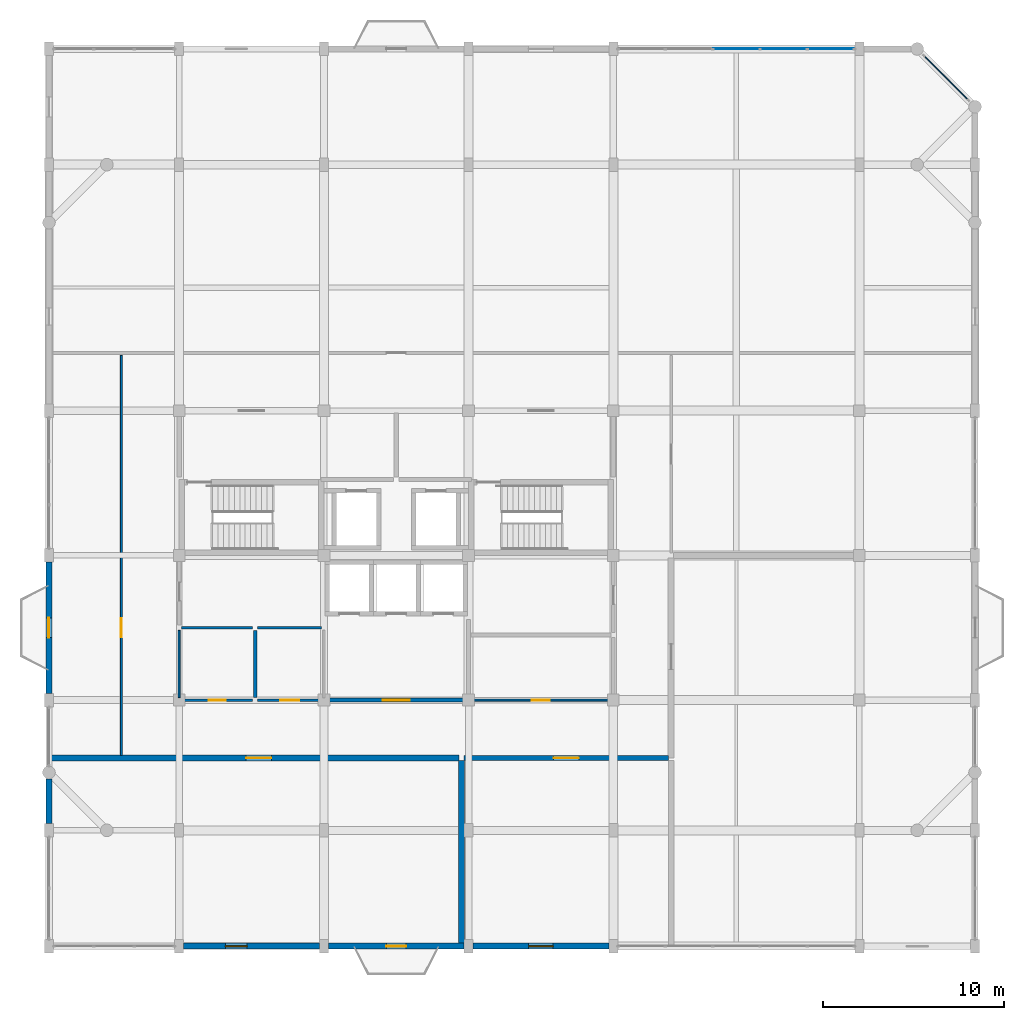
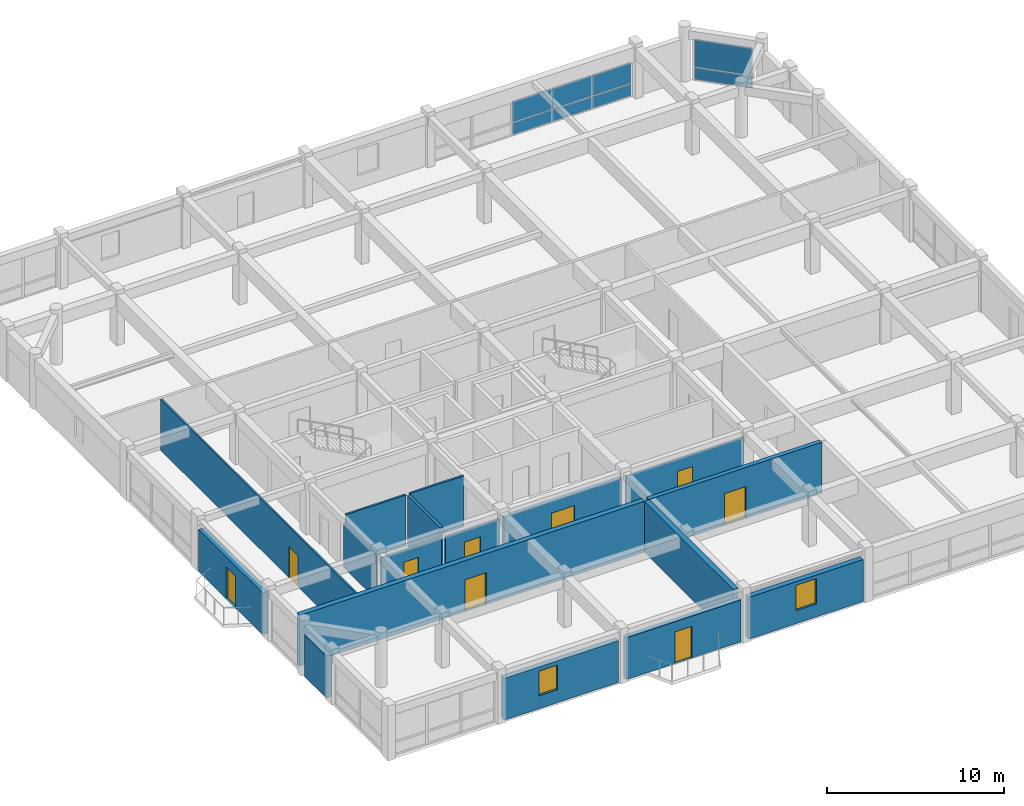
# One storey, part 10 of 13: 17 walls, 9 doors, 8 plates, 2 windows, 11 openings, 2 elements without a shape of their own.
"""IFC4 building model written with IfcOpenShell, lengths in metres."""

import ifcopenshell
import ifcopenshell.guid

model = None  # the IFC model being written
_history = None  # IfcOwnerHistory: only IFC2X3 demands one
_inside = {}  # id of a spatial element -> (the spatial element, [elements in it])
_under = {}  # id of a project, library or spatial element -> (it, [spatial elements below it])
_declared = {}  # id of a project -> (the project, [libraries it declares])
_typed = {}  # id of a type object -> (the type object, [elements of that type])
_made_of = {}  # id of a material, layer set ... -> (it, [elements and type objects made of it])


def new_model(schema):
    """Start an empty IFC model of exactly this schema.

    Asked for "IFC4X3", IfcOpenShell would pick the latest addendum, in which some entities
    have other attributes; the version numbers below select the first issue.
    IFC2X3 requires an IfcOwnerHistory on every rooted entity: one is made here for all.
    """
    global model, _history
    if schema == "IFC4X3":
        model = ifcopenshell.file(schema_version=(4, 3, 0, 0))
    else:
        model = ifcopenshell.file(schema=schema)
    _inside.clear()
    _under.clear()
    _declared.clear()
    _typed.clear()
    _made_of.clear()
    _history = None
    if model.schema == "IFC2X3":
        org = make("IfcOrganization", Name="unknown")
        user = make(
            "IfcPersonAndOrganization",
            ThePerson=make("IfcPerson", FamilyName="unknown"),
            TheOrganization=org,
        )
        app = make(
            "IfcApplication",
            ApplicationDeveloper=org,
            Version="unknown",
            ApplicationFullName="unknown",
            ApplicationIdentifier="unknown",
        )
        _history = make(
            "IfcOwnerHistory",
            OwningUser=user,
            OwningApplication=app,
            ChangeAction="ADDED",
            CreationDate=0,
        )
    return model


def make(cls, **values):
    """One entity of the class cls with the attributes given. An attribute that is None is left unset."""
    return model.create_entity(
        cls, **{name: value for name, value in values.items() if value is not None}
    )


def rooted(cls, **values):
    """An entity with a GlobalId (a new one), such as an element, a storey or a relation."""
    return make(cls, GlobalId=ifcopenshell.guid.new(), OwnerHistory=_history, **values)


def si_unit(unit_type, name, prefix=None):
    """IfcSIUnit, for example si_unit("LENGTHUNIT", "METRE", prefix="MILLI")."""
    return make("IfcSIUnit", UnitType=unit_type, Prefix=prefix, Name=name)


def assignment(units):
    """IfcUnitAssignment: the units of a project."""
    return None if units is None else make("IfcUnitAssignment", Units=units)


def point(xyz):
    """IfcCartesianPoint."""
    return None if xyz is None else make("IfcCartesianPoint", Coordinates=xyz)


def direction(xyz):
    """IfcDirection."""
    return None if xyz is None else make("IfcDirection", DirectionRatios=xyz)


def frame(location, z_axis=None, x_axis=None):
    """IfcAxis2Placement3D, a coordinate frame: its origin and axes. An axis left out is left unset."""
    return make(
        "IfcAxis2Placement3D",
        Location=point(location),
        Axis=direction(z_axis),
        RefDirection=direction(x_axis),
    )


def frame_2d(location, x_axis=None):
    """IfcAxis2Placement2D, a coordinate frame in the plane: its origin and x axis."""
    return make(
        "IfcAxis2Placement2D", Location=point(location), RefDirection=direction(x_axis)
    )


def origin():
    """The frame at (0, 0, 0) with its axes left unset."""
    return frame((0.0, 0.0, 0.0))


def origin_2d():
    """The frame at (0, 0) in the plane with its x axis left unset."""
    return frame_2d((0.0, 0.0))


def place(relative_to, where):
    """IfcLocalPlacement: puts the frame where relative to a parent placement (None: the world)."""
    return make(
        "IfcLocalPlacement", PlacementRelTo=relative_to, RelativePlacement=where
    )


def context(
    kind, dimensions, precision=None, world=None, true_north=None, identifier=None
):
    """IfcGeometricRepresentationContext, for example the 3D "Model" context."""
    return make(
        "IfcGeometricRepresentationContext",
        ContextIdentifier=identifier,
        ContextType=kind,
        CoordinateSpaceDimension=dimensions,
        Precision=precision,
        WorldCoordinateSystem=world,
        TrueNorth=true_north,
    )


def subcontext(parent, identifier, kind, view, scale=None):
    """IfcGeometricRepresentationSubContext, for example "Body" below "Model"."""
    return make(
        "IfcGeometricRepresentationSubContext",
        ContextIdentifier=identifier,
        ContextType=kind,
        ParentContext=parent,
        TargetScale=scale,
        TargetView=view,
    )


def project(units=None, contexts=None):
    """IfcProject with its units and contexts."""
    return rooted(
        "IfcProject",
        Name="project",
        RepresentationContexts=contexts,
        UnitsInContext=assignment(units),
    )


def spatial(cls, under=None, at=None, **own):
    """A site, building, storey or space (cls), placed at a placement, below another one or the project."""
    s = rooted(cls, ObjectPlacement=at, **own)
    if under is not None:
        _under.setdefault(under.id(), (under, []))[1].append(s)
    return s


def profile(cls, at=None, kind="AREA", **sizes):
    """A parametric profile (cls). Its sizes go by their IFC names, for example OverallWidth=200.0."""
    return make(cls, ProfileType=kind, Position=at, **sizes)


def rectangle(**sizes):
    """IfcRectangleProfileDef."""
    return profile("IfcRectangleProfileDef", **sizes)


def extrude(swept, where, along, depth):
    """IfcExtrudedAreaSolid: the profile swept, set in the frame where, extruded along a direction by depth."""
    return make(
        "IfcExtrudedAreaSolid",
        SweptArea=swept,
        Position=where,
        ExtrudedDirection=direction(along),
        Depth=depth,
    )


def shape(context_of_items, identifier, shape_type, items):
    """IfcShapeRepresentation: the items that make up one representation, for example the "Body"."""
    return make(
        "IfcShapeRepresentation",
        ContextOfItems=context_of_items,
        RepresentationIdentifier=identifier,
        RepresentationType=shape_type,
        Items=items,
    )


def material(Name=None, Category=None):
    """IfcMaterial."""
    return make("IfcMaterial", Name=Name, Category=Category)


def layer(
    of_material, thickness, ventilated=None, Name=None, Category=None, Priority=None
):
    """IfcMaterialLayer: one layer of a wall or slab, of a material (None: an air gap)."""
    return make(
        "IfcMaterialLayer",
        Material=of_material,
        LayerThickness=thickness,
        IsVentilated=ventilated,
        Name=Name,
        Category=Category,
        Priority=Priority,
    )


def layer_set(layers, Name=None):
    """IfcMaterialLayerSet."""
    return make("IfcMaterialLayerSet", MaterialLayers=layers, LayerSetName=Name)


def made_of(thing, what):
    """Note that an element or type object is made of a material, layer set ...; save() writes the relation."""
    if what is not None:
        _made_of.setdefault(what.id(), (what, []))[1].append(thing)
    return thing


def type_object(cls, material=None, **own):
    """A type object (cls), such as IfcWallType, which elements share."""
    return made_of(rooted(cls, **own), material)


def element(
    cls,
    number,
    at=None,
    inside=None,
    cuts=None,
    type_object=None,
    material=None,
    context=None,
    identifier="Body",
    shape_type=None,
    held_by="IfcProductDefinitionShape",
    body=None,
    shapes=None,
    **own,
):
    """One element of the class cls, such as IfcWall. Its Tag is "e" and its number.

    at: its placement. inside: the storey or other place that contains it. cuts: it is an
    opening in that element (IfcRelVoidsElement). A single representation is given by context,
    identifier, shape_type and body (its items); several are given by shapes. held_by: the class
    of the entity that holds the representations. save() writes the other relations.
    """
    e = rooted(cls, Tag="e%d" % number, ObjectPlacement=at, **own)
    if body is not None:
        shapes = [shape(context, identifier, shape_type, body)]
    if shapes is not None:
        e.Representation = make(held_by, Representations=shapes)
    if inside is not None:
        _inside.setdefault(inside.id(), (inside, []))[1].append(e)
    if cuts is not None:
        rooted(
            "IfcRelVoidsElement", RelatingBuildingElement=cuts, RelatedOpeningElement=e
        )
    if type_object is not None:
        _typed.setdefault(type_object.id(), (type_object, []))[1].append(e)
    return made_of(e, material)


def fill(opening, filler):
    """IfcRelFillsElement: the door or window that sits in an opening."""
    return rooted(
        "IfcRelFillsElement",
        RelatingOpeningElement=opening,
        RelatedBuildingElement=filler,
    )


def aggregate(whole, parts):
    """IfcRelAggregates: a whole, such as a stair, and the parts it consists of."""
    return rooted("IfcRelAggregates", RelatingObject=whole, RelatedObjects=parts)


def save(model, path):
    """Write the relations noted so far, then the file.

    IfcRelAggregates (storeys below a building ...), IfcRelContainedInSpatialStructure (elements
    in a storey), IfcRelDefinesByType, IfcRelAssociatesMaterial and IfcRelDeclares: one each for
    every whole, place, type object, material and project.
    """
    for whole, parts in _under.values():
        aggregate(whole, parts)
    for where, things in _inside.values():
        rooted(
            "IfcRelContainedInSpatialStructure",
            RelatedElements=things,
            RelatingStructure=where,
        )
    for kind, things in _typed.values():
        rooted("IfcRelDefinesByType", RelatedObjects=things, RelatingType=kind)
    for what, things in _made_of.values():
        rooted("IfcRelAssociatesMaterial", RelatedObjects=things, RelatingMaterial=what)
    for by, libraries in _declared.values():
        rooted("IfcRelDeclares", RelatingContext=by, RelatedDefinitions=libraries)
    model.write(path)


model = new_model("IFC4")

# Units and contexts
model_context = context("Model", 3, precision=1e-05, world=origin(), true_north=direction((0.0, 1.0)))
body_context = subcontext(model_context, "Body", "Model", "MODEL_VIEW")
ifc_project = project(units=[si_unit("LENGTHUNIT", "METRE"), si_unit("AREAUNIT", "SQUARE_METRE"), si_unit("VOLUMEUNIT", "CUBIC_METRE"), si_unit("PLANEANGLEUNIT", "RADIAN"), si_unit("MASSUNIT", "GRAM", prefix="KILO")], contexts=[model_context])

# Site, building, storey
site_placement = place(None, origin())
site = spatial("IfcSite", under=ifc_project, at=site_placement, CompositionType="ELEMENT")
building_placement = place(site_placement, origin())
building = spatial("IfcBuilding", under=site, at=building_placement, Name="Vellmiral Cinema and Media Centre", CompositionType="ELEMENT")
storey_placement = place(building_placement, frame((0.0, 0.0, 43.300048828125)))
storey = spatial("IfcBuildingStorey", under=building, at=storey_placement, Name="L10", CompositionType="ELEMENT", Elevation=43.300048828125)

# Curtain wall, plates
ifc_material_1 = material(Name="Thermally Broken Aluminium and Triple Glazing", Category="aluminium")
curtain_wall_type_1 = type_object("IfcCurtainWallType", Name="CW-TOWER-MID-W", PredefinedType="USERDEFINED", material=ifc_material_1)
curtain_wall_1_placement = place(storey_placement, origin())
curtain_wall_1 = element("IfcCurtainWall", 1, at=curtain_wall_1_placement, inside=storey, type_object=curtain_wall_type_1, Name="Curtain Wall L10-B017", ObjectType="UNITISED CURTAIN WALL", PredefinedType="USERDEFINED")
ifc_material_2 = material(Name="Laminated Studio Acoustic Glazing", Category="glass")
ifc_layer_1 = layer(ifc_material_2, 0.0439453125, Name="Laminated Studio Acoustic Glazing")
ifc_layer_set_1 = layer_set([ifc_layer_1], Name="Laminated Studio Acoustic Glazing")
plate_type_1 = type_object("IfcPlateType", Name="CWP-ACOUST-44", PredefinedType="CURTAIN_PANEL", material=ifc_layer_set_1)
plate_1_placement = place(storey_placement, frame((160.023681640625, 115.199951171875, 0.932373046875), z_axis=(0.0, 0.0, 1.0), x_axis=(-1.0, 0.0, 0.0)))
plate_1 = element("IfcPlate", 2, at=plate_1_placement, type_object=plate_type_1, Name="CW-08 panel 1.2", PredefinedType="CURTAIN_PANEL", context=body_context, shape_type="SweptSolid", body=[
    extrude(rectangle(XDim=2.5224609375, YDim=0.0439453125, at=origin_2d()), origin(), (0.0, 0.0, 1.0), 1.4375),
])
plate_2_placement = place(storey_placement, frame((157.419921875, 115.199951171875, 0.932373046875), z_axis=(0.0, 0.0, 1.0), x_axis=(-1.0, 0.0, 0.0)))
plate_2 = element("IfcPlate", 3, at=plate_2_placement, type_object=plate_type_1, Name="CW-08 panel 2.2", PredefinedType="CURTAIN_PANEL", context=body_context, shape_type="SweptSolid", body=[
    extrude(rectangle(XDim=2.554931640625, YDim=0.0439453125, at=origin_2d()), origin(), (0.0, 0.0, 1.0), 1.4375),
])
plate_3_placement = place(storey_placement, frame((154.800048828125, 115.199951171875, 0.932373046875), z_axis=(0.0, 0.0, 1.0), x_axis=(-1.0, 0.0, 0.0)))
plate_3 = element("IfcPlate", 4, at=plate_3_placement, type_object=plate_type_1, Name="CW-08 panel 3.2", PredefinedType="CURTAIN_PANEL", context=body_context, shape_type="SweptSolid", body=[
    extrude(rectangle(XDim=2.554931640625, YDim=0.0439453125, at=origin_2d()), origin(), (0.0, 0.0, 1.0), 1.4375),
])

ifc_material_3 = material(Name="Thermally Broken Aluminium and Triple Glazing", Category="aluminium")
curtain_wall_type_2 = type_object("IfcCurtainWallType", Name="CW-TOWER-MID-E", PredefinedType="USERDEFINED", material=ifc_material_3)
curtain_wall_2_placement = place(storey_placement, origin())
curtain_wall_2 = element("IfcCurtainWall", 5, at=curtain_wall_2_placement, inside=storey, type_object=curtain_wall_type_2, Name="Curtain Wall L10-B015", ObjectType="UNITISED CURTAIN WALL", PredefinedType="USERDEFINED")
ifc_material_4 = material(Name="Honed Vosges Sandstone Spandrel Panel", Category="masonry")
ifc_layer_2 = layer(ifc_material_4, 0.06005859375, Name="Honed Vosges Sandstone Spandrel Panel")
ifc_layer_set_2 = layer_set([ifc_layer_2], Name="Honed Vosges Sandstone Spandrel Panel")
plate_type_2 = type_object("IfcPlateType", Name="CWP-SAND-60", PredefinedType="CURTAIN_PANEL", material=ifc_layer_set_2)
plate_4_placement = place(storey_placement, frame((166.39990234375, 113.60009765625, 0.06494140625), z_axis=(0.0, 0.0, 1.0), x_axis=(-0.707106781187, 0.707106781187, 0.0)))
plate_4 = element("IfcPlate", 6, at=plate_4_placement, type_object=plate_type_2, Name="CW-07 panel 1.1", PredefinedType="CURTAIN_PANEL", context=body_context, shape_type="SweptSolid", body=[
    extrude(rectangle(XDim=3.405517578125, YDim=0.06005859375, at=origin_2d()), origin(), (0.0, 0.0, 1.0), 0.802490234375),
])
ifc_material_5 = material(Name="Solar-Control Acoustic Triple Glazing", Category="glass")
ifc_layer_3 = layer(ifc_material_5, 0.0419921875, Name="Solar-Control Acoustic Triple Glazing")
ifc_layer_set_3 = layer_set([ifc_layer_3], Name="Solar-Control Acoustic Triple Glazing")
plate_type_3 = type_object("IfcPlateType", Name="CWP-SOLAR-42", PredefinedType="CURTAIN_PANEL", material=ifc_layer_set_3)
plate_5_placement = place(storey_placement, frame((166.39990234375, 113.60009765625, 0.9326171875), z_axis=(0.0, 0.0, 1.0), x_axis=(-0.707106781187, 0.707106781187, 0.0)))
plate_5 = element("IfcPlate", 7, at=plate_5_placement, type_object=plate_type_3, Name="CW-07 panel 1.2", PredefinedType="CURTAIN_PANEL", context=body_context, shape_type="SweptSolid", body=[
    extrude(rectangle(XDim=3.405517578125, YDim=0.0419921875, at=origin_2d()), origin(), (0.0, 0.0, 1.0), 1.902587890625),
])
aggregate(curtain_wall_2, [plate_4, plate_5])

# Plate
ifc_material_6 = material(Name="Polychrome Trencadis Ceramic Spandrel Panel", Category="ceramic")
ifc_layer_4 = layer(ifc_material_6, 0.052001953125, Name="Polychrome Trencadis Ceramic Spandrel Panel")
ifc_layer_set_4 = layer_set([ifc_layer_4], Name="Polychrome Trencadis Ceramic Spandrel Panel")
plate_type_4 = type_object("IfcPlateType", Name="CWP-TRENC-52", PredefinedType="CURTAIN_PANEL", material=ifc_layer_set_4)
plate_6_placement = place(storey_placement, frame((160.023681640625, 115.199951171875, 0.06494140625), z_axis=(0.0, 0.0, 1.0), x_axis=(-1.0, 0.0, 0.0)))
plate_6 = element("IfcPlate", 8, at=plate_6_placement, type_object=plate_type_4, Name="CW-08 panel 1.1", PredefinedType="CURTAIN_PANEL", context=body_context, shape_type="SweptSolid", body=[
    extrude(rectangle(XDim=2.5224609375, YDim=0.052001953125, at=origin_2d()), origin(), (0.0, 0.0, 1.0), 0.802490234375),
])

plate_7_placement = place(storey_placement, frame((157.419921875, 115.199951171875, 0.06494140625), z_axis=(0.0, 0.0, 1.0), x_axis=(-1.0, 0.0, 0.0)))
plate_7 = element("IfcPlate", 9, at=plate_7_placement, type_object=plate_type_4, Name="CW-08 panel 2.1", PredefinedType="CURTAIN_PANEL", context=body_context, shape_type="SweptSolid", body=[
    extrude(rectangle(XDim=2.554931640625, YDim=0.052001953125, at=origin_2d()), origin(), (0.0, 0.0, 1.0), 0.802490234375),
])

plate_8_placement = place(storey_placement, frame((154.800048828125, 115.199951171875, 0.06494140625), z_axis=(0.0, 0.0, 1.0), x_axis=(-1.0, 0.0, 0.0)))
plate_8 = element("IfcPlate", 10, at=plate_8_placement, type_object=plate_type_4, Name="CW-08 panel 3.1", PredefinedType="CURTAIN_PANEL", context=body_context, shape_type="SweptSolid", body=[
    extrude(rectangle(XDim=2.554931640625, YDim=0.052001953125, at=origin_2d()), origin(), (0.0, 0.0, 1.0), 0.802490234375),
])

aggregate(curtain_wall_1, [plate_6, plate_1, plate_7, plate_2, plate_8, plate_3])

# Wall, opening, door
ifc_material_7 = material(Name="Calcium-Silicate Masonry Blockwork", Category="masonry")
ifc_layer_5 = layer(ifc_material_7, 0.10009765625, Name="Calcium-Silicate Masonry Blockwork", Category="masonry")
ifc_material_8 = material(Name="Mineral Wool Acoustic Insulation", Category="insulation")
ifc_layer_6 = layer(ifc_material_8, 0.090087890625, Name="Mineral Wool Acoustic Insulation", Category="insulation")
ifc_layer_7 = layer(ifc_material_7, 0.10009765625, Name="Calcium-Silicate Masonry Blockwork", Category="masonry")
ifc_layer_set_5 = layer_set([ifc_layer_5, ifc_layer_6, ifc_layer_7], Name="Calcium-Silicate Masonry Blockwork")
wall_type_1 = type_object("IfcWallType", Name="WL-AC-290", PredefinedType="SOLIDWALL", material=ifc_layer_set_5)
wall_1_placement = place(storey_placement, frame((139.739990234375, 76.0, 0.0), z_axis=(0.0, 0.0, 1.0), x_axis=(1.0, 0.0, 0.0)))
wall_1 = element("IfcWall", 11, at=wall_1_placement, inside=storey, type_object=wall_type_1, Name="Podcast Recording Studio South Wall N", PredefinedType="SOLIDWALL", context=body_context, shape_type="SweptSolid", body=[
    extrude(rectangle(XDim=11.320068359375, YDim=0.2900390625, at=frame_2d((5.66015625, 0.0))), origin(), (0.0, 0.0, 1.0), 3.52001953125),
])
opening_1_placement = place(wall_1_placement, frame((4.9599609375, 0.0, 0.0)))
opening_1 = element("IfcOpeningElement", 12, at=opening_1_placement, cuts=wall_1, Name="Opening D-AC4", PredefinedType="OPENING", context=body_context, shape_type="SweptSolid", body=[
    extrude(rectangle(XDim=1.39990234375, YDim=2.199951171875, at=frame_2d((0.699951171875, 1.10009765625))), frame((0.0, 0.156982421875, 0.0), z_axis=(0.0, -1.0, 0.0), x_axis=(1.0, 0.0, 0.0)), (0.0, 0.0, 1.0), 0.31396484375),
])
ifc_material_9 = material(Name="Acoustic Studio Door", Category="steel")
door_type_1 = type_object("IfcDoorType", Name="DR-AC-1400x2200", OperationType="NOTDEFINED", PredefinedType="DOOR", material=ifc_material_9)
door_1_placement = place(opening_1_placement, origin())
door_1 = element("IfcDoor", 13, at=door_1_placement, inside=storey, type_object=door_type_1, Name="Podcast Recording Studio South Door", OperationType="SINGLE_SWING_LEFT", OverallHeight=2.199951171875, OverallWidth=1.39990234375, PredefinedType="DOOR", context=body_context, shape_type="SweptSolid", body=[
    extrude(rectangle(XDim=1.39990234375, YDim=2.199951171875, at=frame_2d((0.699951171875, 1.10009765625))), frame((0.0, 0.02490234375, 0.0), z_axis=(0.0, -1.0, 0.0), x_axis=(1.0, 0.0, 0.0)), (0.0, 0.0, 1.0), 0.050048828125),
])
fill(opening_1, door_1)

ifc_material_10 = material(Name="Calcium-Silicate Masonry Blockwork", Category="masonry")
ifc_layer_8 = layer(ifc_material_10, 0.1201171875, Name="Calcium-Silicate Masonry Blockwork", Category="masonry")
ifc_material_11 = material(Name="Mineral Wool Acoustic Insulation", Category="insulation")
ifc_layer_9 = layer(ifc_material_11, 0.090087890625, Name="Mineral Wool Acoustic Insulation", Category="insulation")
ifc_layer_10 = layer(ifc_material_10, 0.1201171875, Name="Calcium-Silicate Masonry Blockwork", Category="masonry")
ifc_layer_set_6 = layer_set([ifc_layer_8, ifc_layer_9, ifc_layer_10], Name="Calcium-Silicate Masonry Blockwork")
wall_type_2 = type_object("IfcWallType", Name="WL-AC-330", PredefinedType="SOLIDWALL", material=ifc_layer_set_6)
wall_2_placement = place(storey_placement, frame((116.89501953125, 76.0, 0.0), z_axis=(0.0, 0.0, 1.0), x_axis=(1.0, 0.0, 0.0)))
wall_2 = element("IfcWall", 14, at=wall_2_placement, inside=storey, type_object=wall_type_2, Name="Radio Drama Studio West Wall N", PredefinedType="SOLIDWALL", context=body_context, shape_type="SweptSolid", body=[
    extrude(rectangle(XDim=22.56494140625, YDim=0.330078125, at=frame_2d((11.282470703125, 0.0))), origin(), (0.0, 0.0, 1.0), 3.52001953125),
])
opening_2_placement = place(wall_2_placement, frame((10.804931640625, 0.0, 0.0)))
opening_2 = element("IfcOpeningElement", 15, at=opening_2_placement, cuts=wall_2, Name="Opening D-AC4", PredefinedType="OPENING", context=body_context, shape_type="SweptSolid", body=[
    extrude(rectangle(XDim=1.39990234375, YDim=2.199951171875, at=frame_2d((0.699951171875, 1.10009765625))), frame((0.0, 0.177001953125, 0.0), z_axis=(0.0, -1.0, 0.0), x_axis=(1.0, 0.0, 0.0)), (0.0, 0.0, 1.0), 0.35400390625),
])
door_2_placement = place(opening_2_placement, origin())
door_2 = element("IfcDoor", 16, at=door_2_placement, inside=storey, type_object=door_type_1, Name="Radio Drama Studio West Door", OperationType="SINGLE_SWING_RIGHT", OverallHeight=2.199951171875, OverallWidth=1.39990234375, PredefinedType="DOOR", context=body_context, shape_type="SweptSolid", body=[
    extrude(rectangle(XDim=1.39990234375, YDim=2.199951171875, at=frame_2d((0.699951171875, 1.10009765625))), frame((0.0, 0.02490234375, 0.0), z_axis=(0.0, -1.0, 0.0), x_axis=(1.0, 0.0, 0.0)), (0.0, 0.0, 1.0), 0.050048828125),
])
fill(opening_2, door_2)

# Wall
wall_3_placement = place(storey_placement, frame((139.60009765625, 65.77490234375, 0.0), z_axis=(0.0, 0.0, 1.0), x_axis=(0.0, 1.0, 0.0)))
element("IfcWall", 17, at=wall_3_placement, inside=storey, type_object=wall_type_2, Name="Radio Drama Studio West Wall E", PredefinedType="SOLIDWALL", context=body_context, shape_type="SweptSolid", body=[
    extrude(rectangle(XDim=10.085205078125, YDim=0.330078125, at=frame_2d((5.04248046875, 0.0))), origin(), (0.0, 0.0, 1.0), 3.52001953125),
])

# Wall, opening, door
ifc_material_12 = material(Name="Polychrome Glazed Ceramic Cladding", Category="masonry")
ifc_layer_11 = layer(ifc_material_12, 0.320068359375, Name="Polychrome Glazed Ceramic Cladding")
ifc_layer_set_7 = layer_set([ifc_layer_11], Name="Polychrome Glazed Ceramic Cladding")
wall_type_3 = type_object("IfcWallType", Name="WL-EXT-BRICK-320", PredefinedType="SOLIDWALL", material=ifc_layer_set_7)
wall_4_placement = place(storey_placement, frame((132.25, 65.60009765625, 0.0), z_axis=(0.0, 0.0, 1.0), x_axis=(1.0, 0.0, 0.0)))
wall_4 = element("IfcWall", 18, at=wall_4_placement, inside=storey, type_object=wall_type_3, Name="Exterior Facade Wall L10-003", PredefinedType="SOLIDWALL", context=body_context, shape_type="SweptSolid", body=[
    extrude(rectangle(XDim=7.5, YDim=0.320068359375, at=frame_2d((3.75, 0.0))), origin(), (0.0, 0.0, 1.0), 2.89990234375),
])
opening_3_placement = place(wall_4_placement, frame((3.199951171875, 0.0, 0.0)))
opening_3 = element("IfcOpeningElement", 19, at=opening_3_placement, cuts=wall_4, Name="Opening DE-06", PredefinedType="OPENING", context=body_context, shape_type="SweptSolid", body=[
    extrude(rectangle(XDim=1.10009765625, YDim=2.199951171875, at=frame_2d((0.550048828125, 1.10009765625))), frame((0.0, 0.171875, 0.0), z_axis=(0.0, -1.0, 0.0), x_axis=(1.0, 0.0, 0.0)), (0.0, 0.0, 1.0), 0.343994140625),
])
ifc_material_13 = material(Name="Thermally Broken Glazed Aluminium and Bronze Door", Category="aluminium")
door_type_2 = type_object("IfcDoorType", Name="DR-MIRA-1100x2200", OperationType="NOTDEFINED", PredefinedType="DOOR", material=ifc_material_13)
door_3_placement = place(opening_3_placement, frame((1.10009765625, 0.0, 0.0), z_axis=(0.0, 0.0, 1.0), x_axis=(-1.0, 0.0, 0.0)))
door_3 = element("IfcDoor", 20, at=door_3_placement, inside=storey, type_object=door_type_2, Name="Mirador Balcony Door L10-S", OperationType="SINGLE_SWING_RIGHT", OverallHeight=2.199951171875, OverallWidth=1.10009765625, PredefinedType="DOOR", context=body_context, shape_type="SweptSolid", body=[
    extrude(rectangle(XDim=1.10009765625, YDim=2.199951171875, at=frame_2d((0.550048828125, 1.10009765625))), frame((0.0, 0.02490234375, 0.0), z_axis=(0.0, -1.0, 0.0), x_axis=(1.0, 0.0, 0.0)), (0.0, 0.0, 1.0), 0.050048828125),
])
fill(opening_3, door_3)

# Wall, opening, window
ifc_material_14 = material(Name="Vosges Red Sandstone Masonry", Category="masonry")
ifc_layer_12 = layer(ifc_material_14, 0.340087890625, Name="Vosges Red Sandstone Masonry")
ifc_layer_set_8 = layer_set([ifc_layer_12], Name="Vosges Red Sandstone Masonry")
wall_type_4 = type_object("IfcWallType", Name="WL-EXT-SAND-340", PredefinedType="SOLIDWALL", material=ifc_layer_set_8)
wall_5_placement = place(storey_placement, frame((124.25, 65.60009765625, 0.0), z_axis=(0.0, 0.0, 1.0), x_axis=(1.0, 0.0, 0.0)))
wall_5 = element("IfcWall", 21, at=wall_5_placement, inside=storey, type_object=wall_type_4, Name="Exterior Facade Wall L10-002", PredefinedType="SOLIDWALL", context=body_context, shape_type="SweptSolid", body=[
    extrude(rectangle(XDim=7.5, YDim=0.340087890625, at=frame_2d((3.75, 0.0))), origin(), (0.0, 0.0, 1.0), 2.89990234375),
])
opening_4_placement = place(wall_5_placement, frame((2.300048828125, 0.0, 0.89990234375)))
opening_4 = element("IfcOpeningElement", 22, at=opening_4_placement, cuts=wall_5, Name="Opening WN-10", PredefinedType="OPENING", context=body_context, shape_type="SweptSolid", body=[
    extrude(rectangle(XDim=1.199951171875, YDim=1.699951171875, at=frame_2d((0.60009765625, 0.85009765625))), frame((0.0, 0.18212890625, 0.0), z_axis=(0.0, -1.0, 0.0), x_axis=(1.0, 0.0, 0.0)), (0.0, 0.0, 1.0), 0.364013671875),
])
ifc_material_15 = material(Name="Thermally Broken Aluminium Triple Glazing", Category="aluminium")
window_type_1 = type_object("IfcWindowType", Name="WN-1200x1700", PartitioningType="SINGLE_PANEL", PredefinedType="WINDOW", material=ifc_material_15)
window_1_placement = place(opening_4_placement, origin())
window_1 = element("IfcWindow", 23, at=window_1_placement, inside=storey, type_object=window_type_1, Name="Window L10-002", OverallHeight=1.699951171875, OverallWidth=1.199951171875, PartitioningType="SINGLE_PANEL", PredefinedType="WINDOW", context=body_context, shape_type="SweptSolid", body=[
    extrude(rectangle(XDim=1.199951171875, YDim=1.699951171875, at=frame_2d((0.60009765625, 0.85009765625))), frame((0.0, 0.030029296875, 0.0), z_axis=(0.0, -1.0, 0.0), x_axis=(1.0, 0.0, 0.0)), (0.0, 0.0, 1.0), 0.06005859375),
])
fill(opening_4, window_1)

wall_6_placement = place(storey_placement, frame((140.25, 65.60009765625, 0.0), z_axis=(0.0, 0.0, 1.0), x_axis=(1.0, 0.0, 0.0)))
wall_6 = element("IfcWall", 24, at=wall_6_placement, inside=storey, type_object=wall_type_4, Name="Exterior Facade Wall L10-004", PredefinedType="SOLIDWALL", context=body_context, shape_type="SweptSolid", body=[
    extrude(rectangle(XDim=7.5, YDim=0.340087890625, at=frame_2d((3.75, 0.0))), origin(), (0.0, 0.0, 1.0), 2.89990234375),
])
opening_5_placement = place(wall_6_placement, frame((3.074951171875, 0.0, 0.89990234375)))
opening_5 = element("IfcOpeningElement", 25, at=opening_5_placement, cuts=wall_6, Name="Opening WN-08", PredefinedType="OPENING", context=body_context, shape_type="SweptSolid", body=[
    extrude(rectangle(XDim=1.35009765625, YDim=1.75, at=frame_2d((0.675048828125, 0.875))), frame((0.0, 0.18212890625, 0.0), z_axis=(0.0, -1.0, 0.0), x_axis=(1.0, 0.0, 0.0)), (0.0, 0.0, 1.0), 0.364013671875),
])
ifc_material_16 = material(Name="Thermally Broken Aluminium Triple Glazing", Category="aluminium")
window_type_2 = type_object("IfcWindowType", Name="WN-1350x1750", PartitioningType="SINGLE_PANEL", PredefinedType="WINDOW", material=ifc_material_16)
window_2_placement = place(opening_5_placement, origin())
window_2 = element("IfcWindow", 26, at=window_2_placement, inside=storey, type_object=window_type_2, Name="Window L10-004", OverallHeight=1.75, OverallWidth=1.35009765625, PartitioningType="SINGLE_PANEL", PredefinedType="WINDOW", context=body_context, shape_type="SweptSolid", body=[
    extrude(rectangle(XDim=1.35009765625, YDim=1.75, at=frame_2d((0.675048828125, 0.875))), frame((0.0, 0.030029296875, 0.0), z_axis=(0.0, -1.0, 0.0), x_axis=(1.0, 0.0, 0.0)), (0.0, 0.0, 1.0), 0.06005859375),
])
fill(opening_5, window_2)

# Wall, opening, door
wall_7_placement = place(storey_placement, frame((116.800048828125, 86.824951171875, 0.0), z_axis=(0.0, 0.0, 1.0), x_axis=(0.0, -1.0, 0.0)))
wall_7 = element("IfcWall", 27, at=wall_7_placement, inside=storey, type_object=wall_type_4, Name="Exterior Facade Wall L10-026", PredefinedType="SOLIDWALL", context=body_context, shape_type="SweptSolid", body=[
    extrude(rectangle(XDim=7.25, YDim=0.340087890625, at=frame_2d((3.625, 0.0))), origin(), (0.0, 0.0, 1.0), 2.89990234375),
])
opening_6_placement = place(wall_7_placement, frame((3.074951171875, 0.0, 0.0)))
opening_6 = element("IfcOpeningElement", 28, at=opening_6_placement, cuts=wall_7, Name="Opening DE-06", PredefinedType="OPENING", context=body_context, shape_type="SweptSolid", body=[
    extrude(rectangle(XDim=1.10009765625, YDim=2.199951171875, at=frame_2d((0.550048828125, 1.10009765625))), frame((0.0, 0.18212890625, 0.0), z_axis=(0.0, -1.0, 0.0), x_axis=(1.0, 0.0, 0.0)), (0.0, 0.0, 1.0), 0.364013671875),
])
door_4_placement = place(opening_6_placement, frame((1.10009765625, 0.0, 0.0), z_axis=(0.0, 0.0, 1.0), x_axis=(-1.0, 0.0, 0.0)))
door_4 = element("IfcDoor", 29, at=door_4_placement, inside=storey, type_object=door_type_2, Name="Mirador Balcony Door L10-W", OperationType="SINGLE_SWING_LEFT", OverallHeight=2.199951171875, OverallWidth=1.10009765625, PredefinedType="DOOR", context=body_context, shape_type="SweptSolid", body=[
    extrude(rectangle(XDim=1.10009765625, YDim=2.199951171875, at=frame_2d((0.550048828125, 1.10009765625))), frame((0.0, 0.02490234375, 0.0), z_axis=(0.0, -1.0, 0.0), x_axis=(1.0, 0.0, 0.0)), (0.0, 0.0, 1.0), 0.050048828125),
])
fill(opening_6, door_4)

# Wall
wall_8_placement = place(storey_placement, frame((116.800048828125, 74.85009765625, 0.0), z_axis=(0.0, 0.0, 1.0), x_axis=(0.0, -1.0, 0.0)))
element("IfcWall", 30, at=wall_8_placement, inside=storey, type_object=wall_type_4, Name="Exterior Facade Wall L10-028", PredefinedType="SOLIDWALL", context=body_context, shape_type="SweptSolid", body=[
    extrude(rectangle(XDim=2.47509765625, YDim=0.340087890625, at=frame_2d((1.237548828125, 0.0))), origin(), (0.0, 0.0, 1.0), 2.89990234375),
])

# Wall, opening, door
ifc_material_17 = material(Name="Concrete C40/50", Category="concrete")
ifc_layer_13 = layer(ifc_material_17, 0.22998046875, Name="Concrete C40/50")
ifc_layer_set_9 = layer_set([ifc_layer_13], Name="Concrete C40/50")
wall_type_5 = type_object("IfcWallType", Name="WL-FFL-230", PredefinedType="SOLIDWALL", material=ifc_layer_set_9)
wall_9_placement = place(storey_placement, frame((132.139892578125, 79.199951171875, 0.0), z_axis=(0.0, 0.0, 1.0), x_axis=(1.0, 0.0, 0.0)))
wall_9 = element("IfcWall", 31, at=wall_9_placement, inside=storey, type_object=wall_type_5, Name="Tower Passenger Lift Lobby Wall S", PredefinedType="SOLIDWALL", context=body_context, shape_type="SweptSolid", body=[
    extrude(rectangle(XDim=7.72021484375, YDim=0.22998046875, at=frame_2d((3.860107421875, 0.0))), origin(), (0.0, 0.0, 1.0), 2.994873046875),
])
opening_7_placement = place(wall_9_placement, frame((3.110107421875, 0.0, 0.0)))
opening_7 = element("IfcOpeningElement", 32, at=opening_7_placement, cuts=wall_9, Name="Opening D-FD30", PredefinedType="OPENING", context=body_context, shape_type="SweptSolid", body=[
    extrude(rectangle(XDim=1.5, YDim=2.199951171875, at=frame_2d((0.75, 1.10009765625))), frame((0.0, 0.126953125, 0.0), z_axis=(0.0, -1.0, 0.0), x_axis=(1.0, 0.0, 0.0)), (0.0, 0.0, 1.0), 0.25390625),
])
ifc_material_18 = material(Name="Timber-Core Fire Door", Category="wood")
door_type_3 = type_object("IfcDoorType", Name="DR-FD30-1500x2200", OperationType="DOUBLE_DOOR_SINGLE_SWING", PredefinedType="DOOR", material=ifc_material_18)
door_5_placement = place(opening_7_placement, frame((1.5, 0.0, 0.0), z_axis=(0.0, 0.0, 1.0), x_axis=(-1.0, 0.0, 0.0)))
door_5 = element("IfcDoor", 33, at=door_5_placement, inside=storey, type_object=door_type_3, Name="Tower Passenger Lift Lobby Door", OperationType="DOUBLE_DOOR_SINGLE_SWING", OverallHeight=2.199951171875, OverallWidth=1.5, PredefinedType="DOOR", context=body_context, shape_type="SweptSolid", body=[
    extrude(rectangle(XDim=1.5, YDim=2.199951171875, at=frame_2d((0.75, 1.10009765625))), frame((0.0, 0.02490234375, 0.0), z_axis=(0.0, -1.0, 0.0), x_axis=(1.0, 0.0, 0.0)), (0.0, 0.0, 1.0), 0.050048828125),
])
fill(opening_7, door_5)

# Wall
ifc_material_19 = material(Name="Gypsum Plasterboard")
ifc_layer_14 = layer(ifc_material_19, 0.02490234375, Name="Gypsum Plasterboard", Category="gypsum")
ifc_material_20 = material(Name="Mineral Wool Acoustic Insulation", Category="insulation")
ifc_layer_15 = layer(ifc_material_20, 0.06005859375, Name="Mineral Wool Acoustic Insulation", Category="insulation")
ifc_layer_16 = layer(ifc_material_19, 0.02490234375, Name="Gypsum Plasterboard", Category="gypsum")
ifc_layer_set_10 = layer_set([ifc_layer_14, ifc_layer_15, ifc_layer_16], Name="Gypsum Plasterboard")
wall_type_6 = type_object("IfcWallType", Name="WL-PART-110", PredefinedType="PARTITIONING", material=ifc_layer_set_10)
wall_10_placement = place(storey_placement, frame((124.0, 79.340087890625, 0.0), z_axis=(0.0, 0.0, 1.0), x_axis=(0.0, 1.0, 0.0)))
element("IfcWall", 34, at=wall_10_placement, inside=storey, type_object=wall_type_6, Name="Staff WC Wall W", PredefinedType="PARTITIONING", context=body_context, shape_type="SweptSolid", body=[
    extrude(rectangle(XDim=3.719970703125, YDim=0.110107421875, at=frame_2d((1.85986328125, 0.0))), origin(), (0.0, 0.0, 1.0), 3.044921875),
])

# Wall, opening, door
wall_11_placement = place(storey_placement, frame((140.139892578125, 79.199951171875, 0.0), z_axis=(0.0, 0.0, 1.0), x_axis=(1.0, 0.0, 0.0)))
wall_11 = element("IfcWall", 35, at=wall_11_placement, inside=storey, type_object=wall_type_6, Name="Print and Archive Copy Room Wall S", PredefinedType="PARTITIONING", context=body_context, shape_type="SweptSolid", body=[
    extrude(rectangle(XDim=7.72021484375, YDim=0.110107421875, at=frame_2d((3.860107421875, 0.0))), origin(), (0.0, 0.0, 1.0), 2.994873046875),
])
opening_8_placement = place(wall_11_placement, frame((3.360107421875, 0.0, 0.0)))
opening_8 = element("IfcOpeningElement", 36, at=opening_8_placement, cuts=wall_11, Name="Opening D-I08", PredefinedType="OPENING", context=body_context, shape_type="SweptSolid", body=[
    extrude(rectangle(XDim=1.0, YDim=2.14990234375, at=frame_2d((0.5, 1.074951171875))), frame((0.0, 0.06689453125, 0.0), z_axis=(0.0, -1.0, 0.0), x_axis=(1.0, 0.0, 0.0)), (0.0, 0.0, 1.0), 0.134033203125),
])
ifc_material_21 = material(Name="Laminated Timber Door", Category="wood")
door_type_4 = type_object("IfcDoorType", Name="DR-INT-1000x2150", OperationType="NOTDEFINED", PredefinedType="DOOR", material=ifc_material_21)
door_6_placement = place(opening_8_placement, origin())
door_6 = element("IfcDoor", 37, at=door_6_placement, inside=storey, type_object=door_type_4, Name="Print and Archive Copy Room Door", OperationType="SINGLE_SWING_RIGHT", OverallHeight=2.14990234375, OverallWidth=1.0, PredefinedType="DOOR", context=body_context, shape_type="SweptSolid", body=[
    extrude(rectangle(XDim=1.0, YDim=2.14990234375, at=frame_2d((0.5, 1.074951171875))), frame((0.0, 0.02490234375, 0.0), z_axis=(0.0, -1.0, 0.0), x_axis=(1.0, 0.0, 0.0)), (0.0, 0.0, 1.0), 0.050048828125),
])
fill(opening_8, door_6)

wall_12_placement = place(storey_placement, frame((120.800048828125, 76.139892578125, 0.0), z_axis=(0.0, 0.0, 1.0), x_axis=(0.0, 1.0, 0.0)))
wall_12 = element("IfcWall", 38, at=wall_12_placement, inside=storey, type_object=wall_type_6, Name="West Podcast Lounge Wall E", PredefinedType="PARTITIONING", context=body_context, shape_type="SweptSolid", body=[
    extrude(rectangle(XDim=22.1201171875, YDim=0.110107421875, at=frame_2d((11.06005859375, 0.0))), origin(), (0.0, 0.0, 1.0), 3.52001953125),
])
opening_9_placement = place(wall_12_placement, frame((6.534912109375, 0.0, 0.0)))
opening_9 = element("IfcOpeningElement", 39, at=opening_9_placement, cuts=wall_12, Name="Opening D-I07", PredefinedType="OPENING", context=body_context, shape_type="SweptSolid", body=[
    extrude(rectangle(XDim=1.050048828125, YDim=2.14990234375, at=frame_2d((0.52490234375, 1.074951171875))), frame((0.0, 0.06689453125, 0.0), z_axis=(0.0, -1.0, 0.0), x_axis=(1.0, 0.0, 0.0)), (0.0, 0.0, 1.0), 0.134033203125),
])
ifc_material_22 = material(Name="Laminated Timber Door", Category="wood")
door_type_5 = type_object("IfcDoorType", Name="DR-INT-1050x2150", OperationType="NOTDEFINED", PredefinedType="DOOR", material=ifc_material_22)
door_7_placement = place(opening_9_placement, frame((1.050048828125, 0.0, 0.0), z_axis=(0.0, 0.0, 1.0), x_axis=(-1.0, 0.0, 0.0)))
door_7 = element("IfcDoor", 40, at=door_7_placement, inside=storey, type_object=door_type_5, Name="West Podcast Lounge Door", OperationType="SINGLE_SWING_RIGHT", OverallHeight=2.14990234375, OverallWidth=1.050048828125, PredefinedType="DOOR", context=body_context, shape_type="SweptSolid", body=[
    extrude(rectangle(XDim=1.050048828125, YDim=2.14990234375, at=frame_2d((0.52490234375, 1.074951171875))), frame((0.0, 0.02490234375, 0.0), z_axis=(0.0, -1.0, 0.0), x_axis=(1.0, 0.0, 0.0)), (0.0, 0.0, 1.0), 0.050048828125),
])
fill(opening_9, door_7)

# Walls
ifc_material_23 = material(Name="Gypsum Plasterboard")
ifc_layer_17 = layer(ifc_material_23, 0.02490234375, Name="Gypsum Plasterboard", Category="gypsum")
ifc_material_24 = material(Name="Mineral Wool Acoustic Insulation", Category="insulation")
ifc_layer_18 = layer(ifc_material_24, 0.080078125, Name="Mineral Wool Acoustic Insulation", Category="insulation")
ifc_layer_19 = layer(ifc_material_23, 0.02490234375, Name="Gypsum Plasterboard", Category="gypsum")
ifc_layer_set_11 = layer_set([ifc_layer_17, ifc_layer_18, ifc_layer_19], Name="Gypsum Plasterboard")
wall_type_7 = type_object("IfcWallType", Name="WL-PART-130", PredefinedType="PARTITIONING", material=ifc_layer_set_11)
wall_13_placement = place(storey_placement, frame((124.139892578125, 83.199951171875, 0.0), z_axis=(0.0, 0.0, 1.0), x_axis=(1.0, 0.0, 0.0)))
element("IfcWall", 41, at=wall_13_placement, inside=storey, type_object=wall_type_7, Name="Staff WC Wall N", PredefinedType="PARTITIONING", context=body_context, shape_type="SweptSolid", body=[
    extrude(rectangle(XDim=3.920166015625, YDim=0.1298828125, at=frame_2d((1.9599609375, 0.0))), origin(), (0.0, 0.0, 1.0), 3.52001953125),
])
wall_14_placement = place(storey_placement, frame((128.340087890625, 83.199951171875, 0.0), z_axis=(0.0, 0.0, 1.0), x_axis=(1.0, 0.0, 0.0)))
element("IfcWall", 42, at=wall_14_placement, inside=storey, type_object=wall_type_7, Name="Accessible WC Wall N", PredefinedType="PARTITIONING", context=body_context, shape_type="SweptSolid", body=[
    extrude(rectangle(XDim=3.52001953125, YDim=0.1298828125, at=frame_2d((1.760009765625, 0.0))), origin(), (0.0, 0.0, 1.0), 3.52001953125),
])

# Wall, opening, door
ifc_material_25 = material(Name="Gypsum Plasterboard")
ifc_layer_20 = layer(ifc_material_25, 0.02490234375, Name="Gypsum Plasterboard", Category="gypsum")
ifc_material_26 = material(Name="Mineral Wool Acoustic Insulation", Category="insulation")
ifc_layer_21 = layer(ifc_material_26, 0.10009765625, Name="Mineral Wool Acoustic Insulation", Category="insulation")
ifc_layer_22 = layer(ifc_material_25, 0.02490234375, Name="Gypsum Plasterboard", Category="gypsum")
ifc_layer_set_12 = layer_set([ifc_layer_20, ifc_layer_21, ifc_layer_22], Name="Gypsum Plasterboard")
wall_type_8 = type_object("IfcWallType", Name="WL-PART-150", PredefinedType="PARTITIONING", material=ifc_layer_set_12)
wall_15_placement = place(storey_placement, frame((124.139892578125, 79.199951171875, 0.0), z_axis=(0.0, 0.0, 1.0), x_axis=(1.0, 0.0, 0.0)))
wall_15 = element("IfcWall", 43, at=wall_15_placement, inside=storey, type_object=wall_type_8, Name="Staff WC Wall S", PredefinedType="PARTITIONING", context=body_context, shape_type="SweptSolid", body=[
    extrude(rectangle(XDim=3.920166015625, YDim=0.14990234375, at=frame_2d((1.9599609375, 0.0))), origin(), (0.0, 0.0, 1.0), 2.945068359375),
])
opening_10_placement = place(wall_15_placement, frame((1.485107421875, 0.0, 0.0)))
opening_10 = element("IfcOpeningElement", 44, at=opening_10_placement, cuts=wall_15, Name="Opening D-I09", PredefinedType="OPENING", context=body_context, shape_type="SweptSolid", body=[
    extrude(rectangle(XDim=0.949951171875, YDim=2.14990234375, at=frame_2d((0.47509765625, 1.074951171875))), frame((0.0, 0.0869140625, 0.0), z_axis=(0.0, -1.0, 0.0), x_axis=(1.0, 0.0, 0.0)), (0.0, 0.0, 1.0), 0.173828125),
])
ifc_material_27 = material(Name="Moisture-Resistant Timber Door", Category="wood")
door_type_6 = type_object("IfcDoorType", Name="DR-INT-950x2150", OperationType="NOTDEFINED", PredefinedType="DOOR", material=ifc_material_27)
door_8_placement = place(opening_10_placement, origin())
door_8 = element("IfcDoor", 45, at=door_8_placement, inside=storey, type_object=door_type_6, Name="Staff WC Door", OperationType="SINGLE_SWING_LEFT", OverallHeight=2.14990234375, OverallWidth=0.949951171875, PredefinedType="DOOR", context=body_context, shape_type="SweptSolid", body=[
    extrude(rectangle(XDim=0.949951171875, YDim=2.14990234375, at=frame_2d((0.47509765625, 1.074951171875))), frame((0.0, 0.02490234375, 0.0), z_axis=(0.0, -1.0, 0.0), x_axis=(1.0, 0.0, 0.0)), (0.0, 0.0, 1.0), 0.050048828125),
])
fill(opening_10, door_8)

wall_16_placement = place(storey_placement, frame((128.340087890625, 79.199951171875, 0.0), z_axis=(0.0, 0.0, 1.0), x_axis=(1.0, 0.0, 0.0)))
wall_16 = element("IfcWall", 46, at=wall_16_placement, inside=storey, type_object=wall_type_8, Name="Accessible WC Wall S", PredefinedType="PARTITIONING", context=body_context, shape_type="SweptSolid", body=[
    extrude(rectangle(XDim=3.52001953125, YDim=0.14990234375, at=frame_2d((1.760009765625, 0.0))), origin(), (0.0, 0.0, 1.0), 2.945068359375),
])
opening_11_placement = place(wall_16_placement, frame((1.235107421875, 0.0, 0.0)))
opening_11 = element("IfcOpeningElement", 47, at=opening_11_placement, cuts=wall_16, Name="Opening D-I10", PredefinedType="OPENING", context=body_context, shape_type="SweptSolid", body=[
    extrude(rectangle(XDim=1.050048828125, YDim=2.14990234375, at=frame_2d((0.52490234375, 1.074951171875))), frame((0.0, 0.0869140625, 0.0), z_axis=(0.0, -1.0, 0.0), x_axis=(1.0, 0.0, 0.0)), (0.0, 0.0, 1.0), 0.173828125),
])
ifc_material_28 = material(Name="Barrier-Free Timber Door", Category="wood")
door_type_7 = type_object("IfcDoorType", Name="DR-ACC-1050x2150", OperationType="NOTDEFINED", PredefinedType="DOOR", material=ifc_material_28)
door_9_placement = place(opening_11_placement, origin())
door_9 = element("IfcDoor", 48, at=door_9_placement, inside=storey, type_object=door_type_7, Name="Accessible WC Door", OperationType="SINGLE_SWING_RIGHT", OverallHeight=2.14990234375, OverallWidth=1.050048828125, PredefinedType="DOOR", context=body_context, shape_type="SweptSolid", body=[
    extrude(rectangle(XDim=1.050048828125, YDim=2.14990234375, at=frame_2d((0.52490234375, 1.074951171875))), frame((0.0, 0.02490234375, 0.0), z_axis=(0.0, -1.0, 0.0), x_axis=(1.0, 0.0, 0.0)), (0.0, 0.0, 1.0), 0.050048828125),
])
fill(opening_11, door_9)

# Wall
ifc_material_29 = material(Name="Gypsum Plasterboard")
ifc_layer_23 = layer(ifc_material_29, 0.02490234375, Name="Gypsum Plasterboard", Category="gypsum")
ifc_material_30 = material(Name="Mineral Wool Acoustic Insulation", Category="insulation")
ifc_layer_24 = layer(ifc_material_30, 0.139892578125, Name="Mineral Wool Acoustic Insulation", Category="insulation")
ifc_layer_25 = layer(ifc_material_29, 0.02490234375, Name="Gypsum Plasterboard", Category="gypsum")
ifc_layer_set_13 = layer_set([ifc_layer_23, ifc_layer_24, ifc_layer_25], Name="Gypsum Plasterboard")
wall_type_9 = type_object("IfcWallType", Name="WL-PART-190", PredefinedType="PARTITIONING", material=ifc_layer_set_13)
wall_17_placement = place(storey_placement, frame((128.199951171875, 79.340087890625, 0.0), z_axis=(0.0, 0.0, 1.0), x_axis=(0.0, 1.0, 0.0)))
element("IfcWall", 49, at=wall_17_placement, inside=storey, type_object=wall_type_9, Name="Staff WC Wall E", PredefinedType="PARTITIONING", context=body_context, shape_type="SweptSolid", body=[
    extrude(rectangle(XDim=3.719970703125, YDim=0.18994140625, at=frame_2d((1.85986328125, 0.0))), origin(), (0.0, 0.0, 1.0), 3.52001953125),
])

save(model, "model.ifc")
